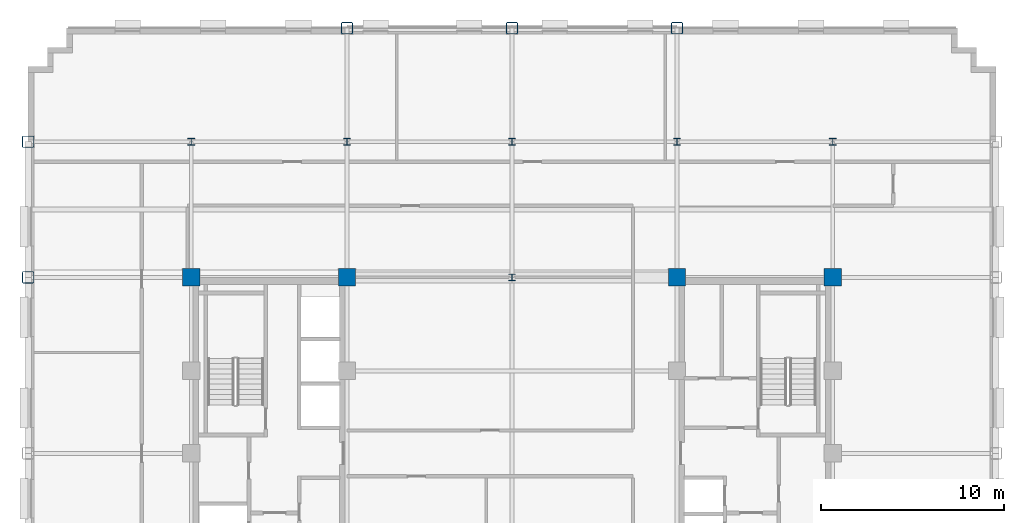
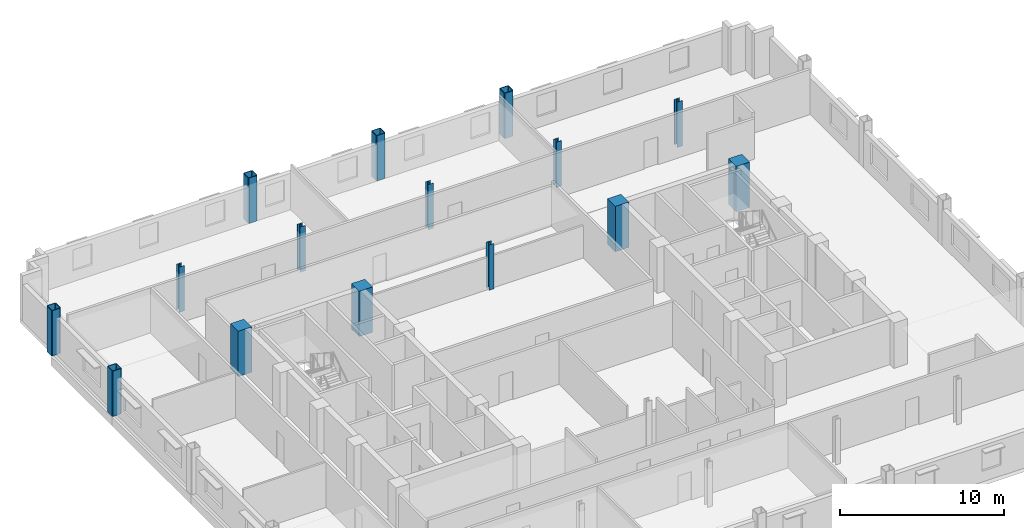
# One storey, part 3 of 13: 15 columns.
"""IFC4 building model written with IfcOpenShell, lengths in metres."""

from ifc_helpers import new_model, si_unit, direction, frame, origin, origin_2d, place, context, subcontext, project, spatial, rectangle, hollow_rectangle, i_section, extrude, material, material_profile, profile_set, type_object, element, save


model = new_model("IFC4")

# Units and contexts
model_context = context("Model", 3, precision=1e-05, world=origin(), true_north=direction((0.0, 1.0)))
body_context = subcontext(model_context, "Body", "Model", "MODEL_VIEW")
ifc_project = project(units=[si_unit("LENGTHUNIT", "METRE"), si_unit("AREAUNIT", "SQUARE_METRE"), si_unit("VOLUMEUNIT", "CUBIC_METRE"), si_unit("PLANEANGLEUNIT", "RADIAN"), si_unit("MASSUNIT", "GRAM", prefix="KILO")], contexts=[model_context])

# Site, building, storey
site_placement = place(None, origin())
site = spatial("IfcSite", under=ifc_project, at=site_placement, CompositionType="ELEMENT")
building_placement = place(site_placement, origin())
building = spatial("IfcBuilding", under=site, at=building_placement, Name="Nuvemarco Arch Tower", CompositionType="ELEMENT")
storey_placement = place(building_placement, frame((0.0, 0.0, 153.050048828125)))
storey = spatial("IfcBuildingStorey", under=building, at=storey_placement, Name="L40", CompositionType="ELEMENT", Elevation=153.050048828125)

# Columns
ifc_material_1 = material(Name="Concrete C50/60", Category="concrete")
ifc_material_profile_1 = material_profile(ifc_material_1, rectangle(XDim=0.949951171875, YDim=0.949951171875, at=origin_2d()), Name="RC-COL-950x950")
ifc_profile_set_1 = profile_set([ifc_material_profile_1], Name="Concrete C50/60")
column_type_1 = type_object("IfcColumnType", Name="COL-CORE-950", PredefinedType="COLUMN", material=ifc_profile_set_1)
for number, where, z_axis, x_axis, name in (
    (1, (-17.5, 9.60009765625, 0.0), (0.0, 0.0, 1.0), (1.0, 0.0, 0.0), "L40 column CC_-17.5_+9.6"),
    (2, (-9.0, 9.60009765625, 0.0), (0.0, 0.0, 1.0), (1.0, 0.0, 0.0), "L40 column CC_-9.0_+9.6"),
    (3, (9.0, 9.60009765625, 0.0), (0.0, 0.0, 1.0), (1.0, 0.0, 0.0), "L40 column CC_+9.0_+9.6"),
    (4, (17.5, 9.60009765625, 0.0), (0.0, 0.0, 1.0), (1.0, 0.0, 0.0), "L40 column CC_+17.5_+9.6"),
):
    element("IfcColumn", number, at=place(storey_placement, frame(where, z_axis=z_axis, x_axis=x_axis)), inside=storey, type_object=column_type_1, Name=name, PredefinedType="COLUMN", context=body_context, shape_type="SweptSolid", body=[
        extrude(rectangle(XDim=0.949951171875, YDim=0.949951171875, at=origin_2d()), origin(), (0.0, 0.0, 1.0), 3.369873046875),
    ])
ifc_material_2 = material(Name="Steel S355", Category="steel")
ifc_material_profile_2 = material_profile(ifc_material_2, hollow_rectangle(XDim=0.64990234375, YDim=0.64990234375, WallThickness=0.0400390625, InnerFilletRadius=0.0400390625, OuterFilletRadius=0.080078125, at=origin_2d()), Name="SHS650x650x40")
ifc_profile_set_2 = profile_set([ifc_material_profile_2], Name="Steel S355")
column_type_2 = type_object("IfcColumnType", Name="COL-EXO-650", PredefinedType="COLUMN", material=ifc_profile_set_2)
for number, where, z_axis, x_axis, name in (
    (5, (-26.39990234375, 9.60009765625, 0.0), (0.0, 0.0, 1.0), (1.0, 0.0, 0.0), "L40 column CX_-26.4_+9.6"),
    (6, (-26.39990234375, 17.0, 0.0), (0.0, 0.0, 1.0), (1.0, 0.0, 0.0), "L40 column CX_-26.4_+17.0"),
    (7, (-9.0, 23.199951171875, 0.0), (0.0, 0.0, 1.0), (1.0, 0.0, 0.0), "L40 column CY_-9.0_+23.2"),
    (8, (0.0, 23.199951171875, 0.0), (0.0, 0.0, 1.0), (1.0, 0.0, 0.0), "L40 column CY_+0.0_+23.2"),
    (9, (9.0, 23.199951171875, 0.0), (0.0, 0.0, 1.0), (1.0, 0.0, 0.0), "L40 column CY_+9.0_+23.2"),
):
    element("IfcColumn", number, at=place(storey_placement, frame(where, z_axis=z_axis, x_axis=x_axis)), inside=storey, type_object=column_type_2, Name=name, PredefinedType="COLUMN", context=body_context, shape_type="SweptSolid", body=[
        extrude(hollow_rectangle(XDim=0.64990234375, YDim=0.64990234375, WallThickness=0.0400390625, InnerFilletRadius=0.0400390625, OuterFilletRadius=0.080078125, at=origin_2d()), origin(), (0.0, 0.0, 1.0), 3.369873046875),
    ])
ifc_material_profile_3 = material_profile(ifc_material_2, i_section(OverallWidth=0.360107421875, OverallDepth=0.360107421875, WebThickness=0.0205078125, FlangeThickness=0.0205078125, FilletRadius=0.01806640625, at=origin_2d()), Name="HP360x174")
ifc_profile_set_3 = profile_set([ifc_material_profile_3], Name="Steel S355")
column_type_3 = type_object("IfcColumnType", Name="COL-STL-HP360", PredefinedType="COLUMN", material=ifc_profile_set_3)
for number, where, z_axis, x_axis, name in (
    (10, (0.0, 9.60009765625, 0.0), (0.0, 0.0, 1.0), (1.0, 0.0, 0.0), "L40 column CI_+0.0_+9.6"),
    (11, (0.0, 17.0, 0.0), (0.0, 0.0, 1.0), (1.0, 0.0, 0.0), "L40 column CI_+0.0_+17.0"),
    (12, (-17.5, 17.0, 0.0), (0.0, 0.0, 1.0), (1.0, 0.0, 0.0), "L40 column CI_-17.5_+17.0"),
    (13, (-9.0, 17.0, 0.0), (0.0, 0.0, 1.0), (1.0, 0.0, 0.0), "L40 column CI_-9.0_+17.0"),
    (14, (9.0, 17.0, 0.0), (0.0, 0.0, 1.0), (1.0, 0.0, 0.0), "L40 column CI_+9.0_+17.0"),
    (15, (17.5, 17.0, 0.0), (0.0, 0.0, 1.0), (1.0, 0.0, 0.0), "L40 column CI_+17.5_+17.0"),
):
    element("IfcColumn", number, at=place(storey_placement, frame(where, z_axis=z_axis, x_axis=x_axis)), inside=storey, type_object=column_type_3, Name=name, PredefinedType="COLUMN", context=body_context, shape_type="SweptSolid", body=[
        extrude(i_section(OverallWidth=0.360107421875, OverallDepth=0.360107421875, WebThickness=0.0205078125, FlangeThickness=0.0205078125, FilletRadius=0.01806640625, at=origin_2d()), origin(), (0.0, 0.0, 1.0), 3.369873046875),
    ])

save(model, "model.ifc")
